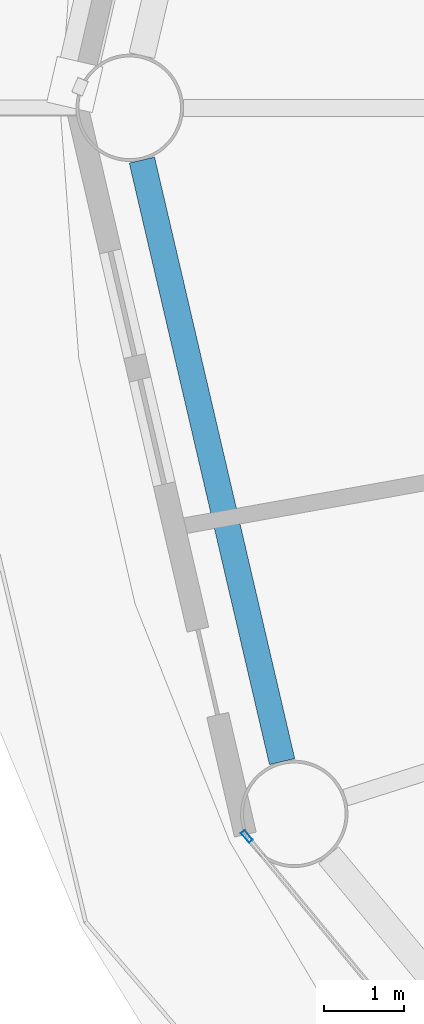
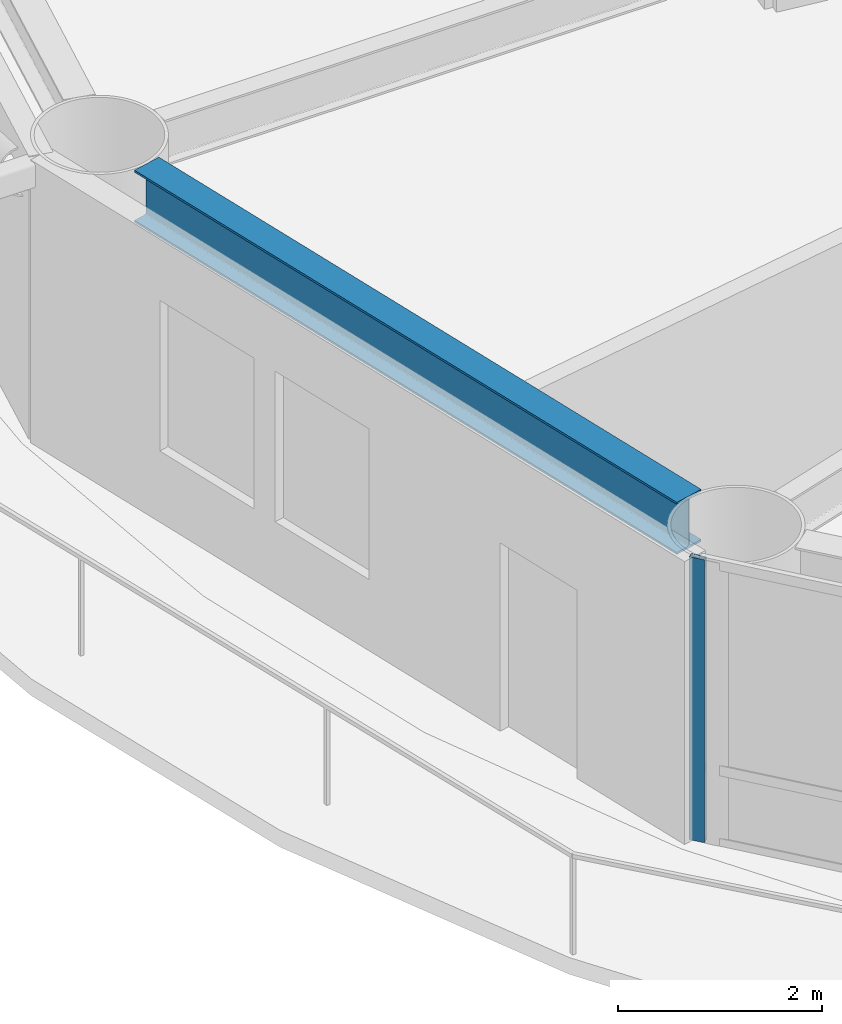
# One storey, part 4 of 26: 1 beam, 1 member, 1 element without a shape of its own.
"""IFC4 building model written with IfcOpenShell, lengths in metres."""

from ifc_helpers import new_model, si_unit, direction, frame, origin, origin_2d, place, context, subcontext, project, spatial, hollow_rectangle, i_section, extrude, material, layer, layer_set, material_profile, profile_set, type_object, element, aggregate, save


model = new_model("IFC4")

# Units and contexts
model_context = context("Model", 3, precision=1e-05, world=origin(), true_north=direction((0.0, 1.0)))
body_context = subcontext(model_context, "Body", "Model", "MODEL_VIEW")
ifc_project = project(units=[si_unit("LENGTHUNIT", "METRE"), si_unit("AREAUNIT", "SQUARE_METRE"), si_unit("VOLUMEUNIT", "CUBIC_METRE"), si_unit("PLANEANGLEUNIT", "RADIAN"), si_unit("MASSUNIT", "GRAM", prefix="KILO")], contexts=[model_context])

# Site, building, storey
site_placement = place(None, origin())
site = spatial("IfcSite", under=ifc_project, at=site_placement, CompositionType="ELEMENT")
building_placement = place(site_placement, origin())
building = spatial("IfcBuilding", under=site, at=building_placement, Name="Sarneth Arch Tower", CompositionType="ELEMENT")
storey_placement = place(building_placement, frame((0.0, 0.0, 53.39990234375)))
storey = spatial("IfcBuildingStorey", under=building, at=storey_placement, Name="L12", CompositionType="ELEMENT", Elevation=53.39990234375)

# Beam
ifc_material_1 = material(Name="Steel S355", Category="steel")
ifc_material_profile_1 = material_profile(ifc_material_1, i_section(OverallWidth=0.326904296875, OverallDepth=0.6220703125, WebThickness=0.015380859375, FlangeThickness=0.0244140625, FilletRadius=0.01904296875, at=origin_2d()), Name="W610x195")
ifc_profile_set_1 = profile_set([ifc_material_profile_1], Name="Steel S355")
beam_type = type_object("IfcBeamType", Name="BM-SPAN-610A", PredefinedType="SPANDREL", material=ifc_profile_set_1)
beam_placement = place(storey_placement, frame((18.118408203125, 41.342529296875, 3.069091796875), z_axis=(0.227001042423, -0.973894515201, 0.0), x_axis=(0.973894515201, 0.227001042423, 0.0)))
element("IfcBeam", 1, at=beam_placement, inside=storey, type_object=beam_type, Name="L12 Perimeter spandrel beam 09", PredefinedType="SPANDREL", context=body_context, shape_type="SweptSolid", body=[
    extrude(i_section(OverallWidth=0.326904296875, OverallDepth=0.6220703125, WebThickness=0.015380859375, FlangeThickness=0.0244140625, FilletRadius=0.01904296875, at=origin_2d()), origin(), (0.0, 0.0, 1.0), 7.76611328125),
])

# Curtain wall, member
ifc_material_2 = material(Name="Anodised aluminium Type AA25 and solar-control low-e laminated IGU", Category="aluminium")
ifc_layer = layer(ifc_material_2, 0.159912109375)
ifc_layer_set = layer_set([ifc_layer], Name="Anodised aluminium Type AA25 and solar-control low-e laminated IGU")
curtain_wall_type = type_object("IfcCurtainWallType", Name="CW-HOTEL-LOW", PredefinedType="NOTDEFINED", material=ifc_layer_set)
curtain_wall_placement = place(storey_placement, origin())
curtain_wall = element("IfcCurtainWall", 2, at=curtain_wall_placement, inside=storey, type_object=curtain_wall_type, Name="L12 Unitised curtain wall facet 10", PredefinedType="NOTDEFINED")
ifc_material_3 = material(Name="Anodised Aluminium 6063-T6", Category="aluminium")
ifc_material_profile_2 = material_profile(ifc_material_3, hollow_rectangle(XDim=0.06005859375, YDim=0.159912109375, WallThickness=0.00390625, at=origin_2d()), Name="AL-MULL-160x60x4")
ifc_profile_set_2 = profile_set([ifc_material_profile_2], Name="Anodised Aluminium 6063-T6")
member_type = type_object("IfcMemberType", Name="CW-MULLION", PredefinedType="MULLION", material=ifc_profile_set_2)
member_placement = place(storey_placement, frame((19.438232421875, 32.83837890625, 0.0), z_axis=(0.0, 0.0, 1.0), x_axis=(0.770622960278, 0.637291340827, 0.0)))
member = element("IfcMember", 3, at=member_placement, type_object=member_type, Name="CW-SYS-3 mullion 1", PredefinedType="MULLION", context=body_context, shape_type="SweptSolid", body=[
    extrude(hollow_rectangle(XDim=0.06005859375, YDim=0.159912109375, WallThickness=0.00390625, at=origin_2d()), origin(), (0.0, 0.0, 1.0), 3.380126953125),
])
aggregate(curtain_wall, [member])

save(model, "model.ifc")
